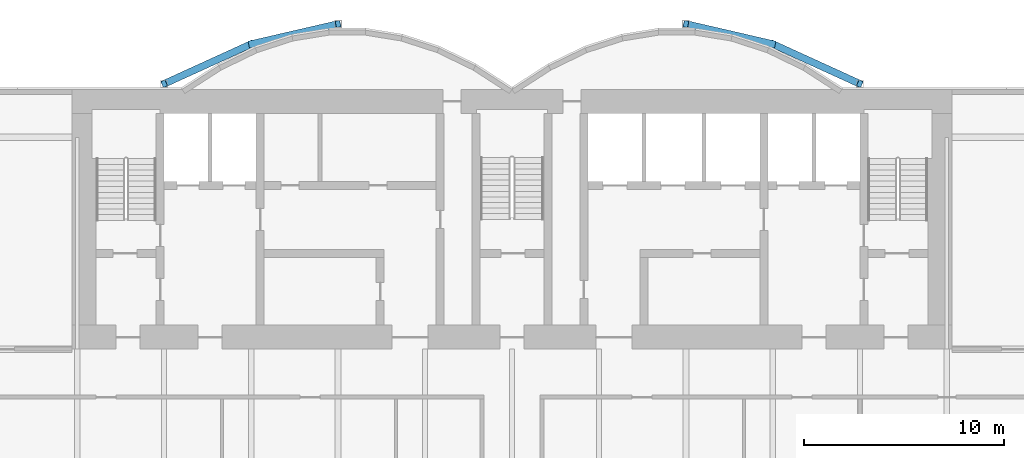
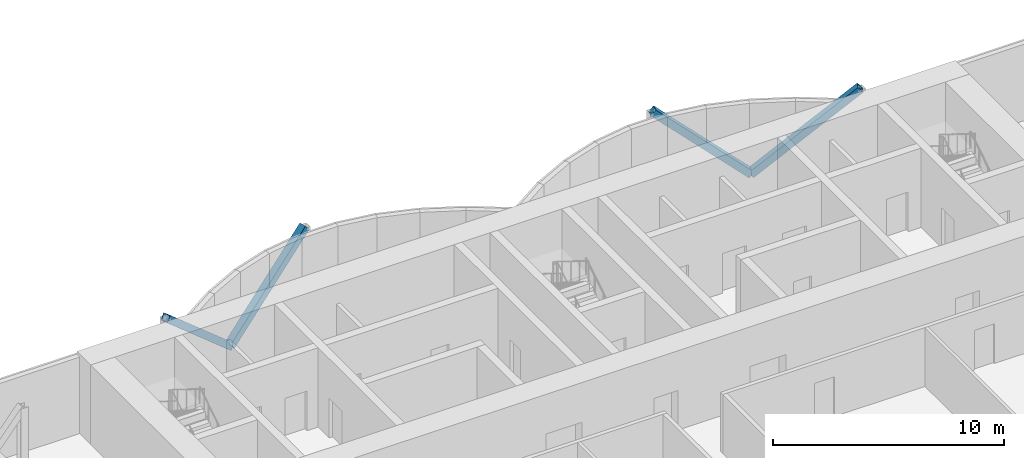
# One storey, part 10 of 19: 4 members.
"""IFC4 building model written with IfcOpenShell, lengths in metres."""

from ifc_helpers import new_model, si_unit, direction, frame, origin, origin_2d, place, context, subcontext, project, spatial, hollow_rectangle, extrude, material, material_profile, profile_set, type_object, element, save


model = new_model("IFC4")

# Units and contexts
model_context = context("Model", 3, precision=1e-05, world=origin(), true_north=direction((0.0, 1.0)))
body_context = subcontext(model_context, "Body", "Model", "MODEL_VIEW")
ifc_project = project(units=[si_unit("LENGTHUNIT", "METRE"), si_unit("AREAUNIT", "SQUARE_METRE"), si_unit("VOLUMEUNIT", "CUBIC_METRE"), si_unit("PLANEANGLEUNIT", "RADIAN"), si_unit("MASSUNIT", "GRAM", prefix="KILO")], contexts=[model_context])

# Site, building, storey
site_placement = place(None, origin())
site = spatial("IfcSite", under=ifc_project, at=site_placement, CompositionType="ELEMENT")
building_placement = place(site_placement, origin())
building = spatial("IfcBuilding", under=site, at=building_placement, Name="Bicima Exchange Tower", CompositionType="ELEMENT")
storey_placement = place(building_placement, frame((0.0, 0.0, 258.199951171875)))
storey = spatial("IfcBuildingStorey", under=building, at=storey_placement, Name="L58", CompositionType="ELEMENT", Elevation=258.199951171875)

# Members
ifc_material = material(Name="Steel ASTM A572 Gr 50", Category="steel")
ifc_material_profile = material_profile(ifc_material, hollow_rectangle(XDim=0.355712890625, YDim=0.355712890625, WallThickness=0.0146484375, at=origin_2d()))
ifc_profile_set = profile_set([ifc_material_profile], Name="Steel ASTM A572 Gr 50")
member_type = type_object("IfcMemberType", Name="Mega brace HSS14x14x5/8", PredefinedType="BRACE", material=ifc_profile_set)
member_1_placement = place(storey_placement, frame((-13.050048828125, 2.262451171875, 0.0), z_axis=(0.709647653042, 0.164209073605, 0.68515369712), x_axis=(-0.225438503722, 0.974257399787, 0.0)))
element("IfcMember", 1, at=member_1_placement, inside=storey, type_object=member_type, Name="Mega brace rexo", PredefinedType="BRACE", context=body_context, shape_type="SweptSolid", body=[
    extrude(hollow_rectangle(XDim=0.355712890625, YDim=0.355712890625, WallThickness=0.0146484375, at=origin_2d()), origin(), (0.0, 0.0, 1.0), 6.1298828125),
])
for number, where, z_axis, x_axis, name in (
    (2, (-13.050048828125, 2.262451171875, 0.0), (-0.683525692449, -0.311819993726, 0.659970392726), (0.415045223819, -0.909800781592, 0.0), "Mega brace rexo"),
    (3, (13.050048828125, 2.262451171875, 0.0), (0.683525692449, -0.311819993726, 0.659970392726), (0.415045223819, 0.909800781592, 0.0), "Mega brace rexo"),
):
    element("IfcMember", number, at=place(storey_placement, frame(where, z_axis=z_axis, x_axis=x_axis)), inside=storey, type_object=member_type, Name=name, PredefinedType="BRACE", context=body_context, shape_type="SweptSolid", body=[
        extrude(hollow_rectangle(XDim=0.355712890625, YDim=0.355712890625, WallThickness=0.0146484375, at=origin_2d()), origin(), (0.0, 0.0, 1.0), 6.36376953125),
    ])
member_2_placement = place(storey_placement, frame((13.050048828125, 2.262451171875, 0.0), z_axis=(-0.709647653042, 0.164209073605, 0.68515369712), x_axis=(-0.225438503722, -0.974257399787, 0.0)))
element("IfcMember", 4, at=member_2_placement, inside=storey, type_object=member_type, Name="Mega brace rexo", PredefinedType="BRACE", context=body_context, shape_type="SweptSolid", body=[
    extrude(hollow_rectangle(XDim=0.355712890625, YDim=0.355712890625, WallThickness=0.0146484375, at=origin_2d()), origin(), (0.0, 0.0, 1.0), 6.1298828125),
])

save(model, "model.ifc")
